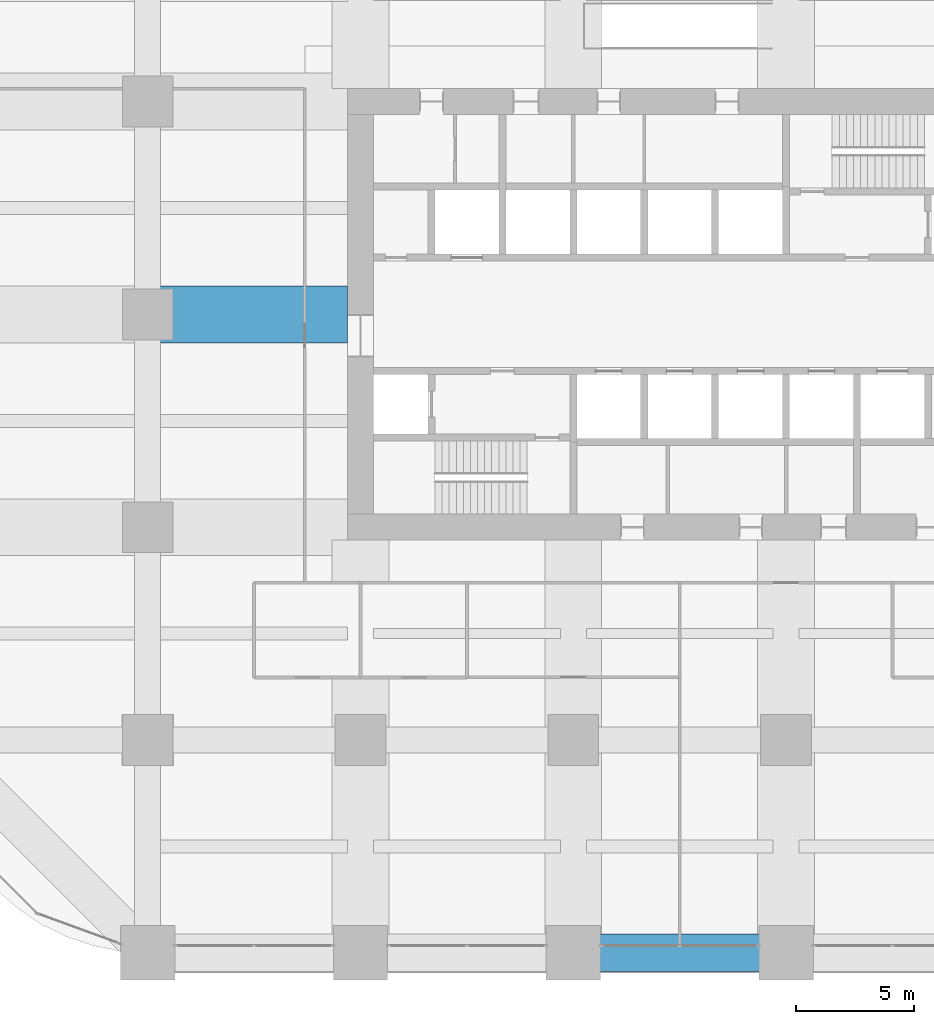
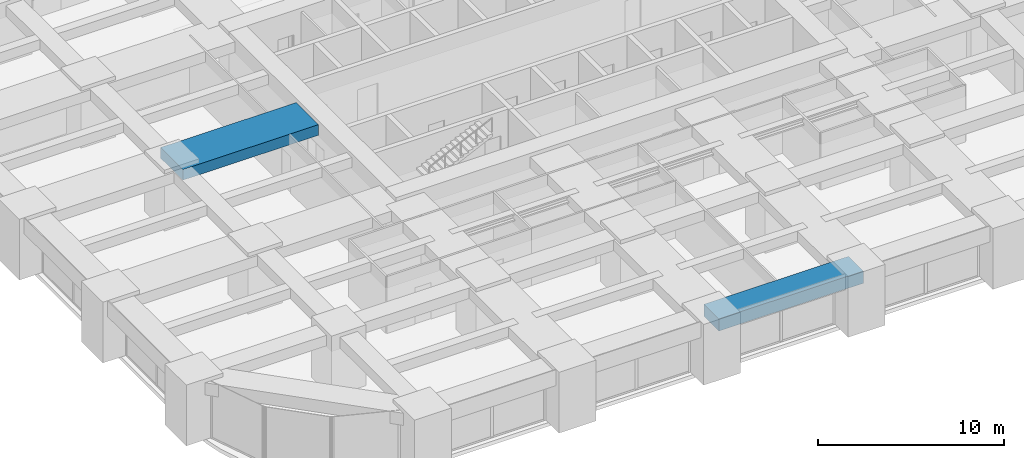
# One storey, part 11 of 44: 2 beams.
"""IFC4 building model written with IfcOpenShell, lengths in metres."""

from ifc_helpers import new_model, si_unit, direction, frame, origin, origin_2d, place, context, subcontext, project, spatial, rectangle, extrude, material, material_profile, profile_set, type_object, element, save


model = new_model("IFC4")

# Units and contexts
model_context = context("Model", 3, precision=1e-05, world=origin(), true_north=direction((0.0, 1.0)))
body_context = subcontext(model_context, "Body", "Model", "MODEL_VIEW")
ifc_project = project(units=[si_unit("LENGTHUNIT", "METRE"), si_unit("AREAUNIT", "SQUARE_METRE"), si_unit("VOLUMEUNIT", "CUBIC_METRE"), si_unit("PLANEANGLEUNIT", "RADIAN"), si_unit("MASSUNIT", "GRAM", prefix="KILO")], contexts=[model_context])

# Site, building, storey
site_placement = place(None, origin())
site = spatial("IfcSite", under=ifc_project, at=site_placement, CompositionType="ELEMENT")
building_placement = place(site_placement, origin())
building = spatial("IfcBuilding", under=site, at=building_placement, Name="Zorevar Civic Tower", CompositionType="ELEMENT")
storey_placement = place(building_placement, frame((0.0, 0.0, 63.800048828125)))
storey = spatial("IfcBuildingStorey", under=building, at=storey_placement, Name="L15", CompositionType="ELEMENT", Elevation=63.800048828125)

# Beams
ifc_material_1 = material(Name="Concrete C50/60", Category="concrete")
ifc_material_profile_1 = material_profile(ifc_material_1, rectangle(XDim=2.39990234375, YDim=0.699951171875, at=origin_2d()), Name="RC 2400x700")
ifc_profile_set_1 = profile_set([ifc_material_profile_1], Name="Concrete C50/60")
beam_type_1 = type_object("IfcBeamType", Name="Beam RC 2400x700", PredefinedType="BEAM", material=ifc_profile_set_1)
beam_1_placement = place(storey_placement, frame((9.0, 27.0, 3.39990234375), z_axis=(1.0, 0.0, 0.0), x_axis=(0.0, 1.0, 0.0)))
element("IfcBeam", 1, at=beam_1_placement, inside=storey, type_object=beam_type_1, Name="Girder L16", PredefinedType="BEAM", context=body_context, shape_type="SweptSolid", body=[
    extrude(rectangle(XDim=2.39990234375, YDim=0.699951171875, at=origin_2d()), origin(), (0.0, 0.0, 1.0), 8.449951171875),
])
ifc_material_2 = material(Name="Concrete C50/60", Category="concrete")
ifc_material_profile_2 = material_profile(ifc_material_2, rectangle(XDim=1.60009765625, YDim=0.800048828125, at=origin_2d()), Name="RC 1600x800")
ifc_profile_set_2 = profile_set([ifc_material_profile_2], Name="Concrete C50/60")
beam_type_2 = type_object("IfcBeamType", Name="Edge beam RC 1600x800", PredefinedType="SPANDREL", material=ifc_profile_set_2)
beam_2_placement = place(storey_placement, frame((27.0, 0.0, 3.349853515625), z_axis=(1.0, 0.0, 0.0), x_axis=(0.0, 1.0, 0.0)))
element("IfcBeam", 2, at=beam_2_placement, inside=storey, type_object=beam_type_2, Name="Edge beam L16", PredefinedType="SPANDREL", context=body_context, shape_type="SweptSolid", body=[
    extrude(rectangle(XDim=1.60009765625, YDim=0.800048828125, at=origin_2d()), origin(), (0.0, 0.0, 1.0), 9.0),
])

save(model, "model.ifc")
